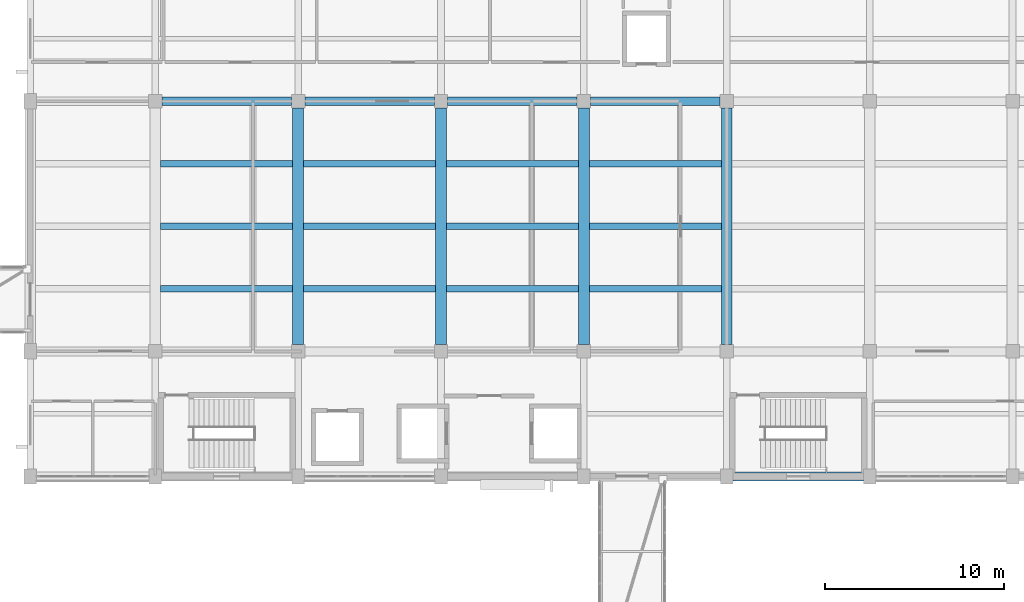
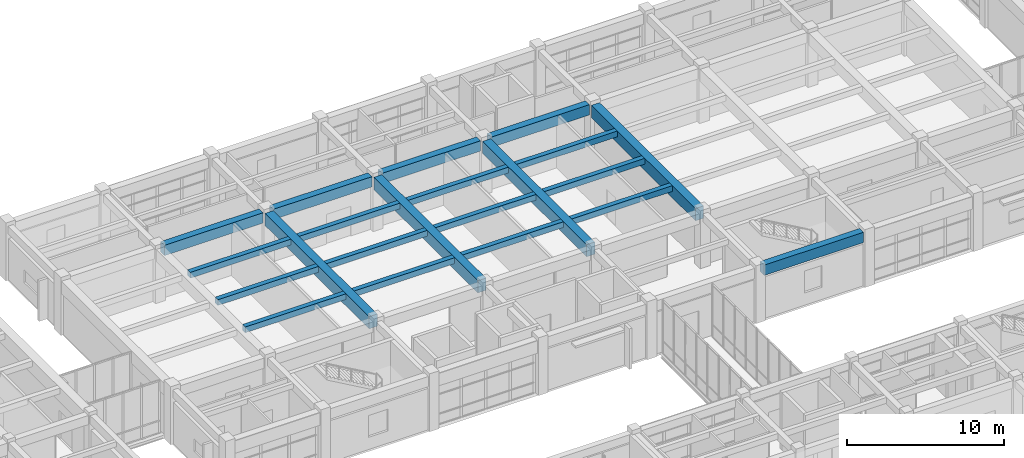
# One storey, part 26 of 72: 21 beams.
"""IFC4 building model written with IfcOpenShell, lengths in metres."""

from ifc_helpers import new_model, si_unit, direction, frame, origin, origin_2d, place, context, subcontext, project, spatial, rectangle, extrude, material, material_profile, profile_set, type_object, element, save


model = new_model("IFC4")

# Units and contexts
model_context = context("Model", 3, precision=1e-05, world=origin(), true_north=direction((0.0, 1.0)))
body_context = subcontext(model_context, "Body", "Model", "MODEL_VIEW")
ifc_project = project(units=[si_unit("LENGTHUNIT", "METRE"), si_unit("AREAUNIT", "SQUARE_METRE"), si_unit("VOLUMEUNIT", "CUBIC_METRE"), si_unit("PLANEANGLEUNIT", "RADIAN"), si_unit("MASSUNIT", "GRAM", prefix="KILO")], contexts=[model_context])

# Site, building, storey
site_placement = place(None, origin())
site = spatial("IfcSite", under=ifc_project, at=site_placement, CompositionType="ELEMENT")
building_placement = place(site_placement, origin())
building = spatial("IfcBuilding", under=site, at=building_placement, Name="Naurynzar Civic Courthouse", CompositionType="ELEMENT")
storey_placement = place(building_placement, frame((0.0, 0.0, 9.89990234375)))
storey = spatial("IfcBuildingStorey", under=building, at=storey_placement, Name="L03", CompositionType="ELEMENT", Elevation=9.89990234375)

# Beams
ifc_material_1 = material(Name="Concrete C40/50", Category="concrete")
ifc_material_profile_1 = material_profile(ifc_material_1, rectangle(XDim=0.60009765625, YDim=0.949951171875, at=origin_2d()), Name="PTB 600x950")
ifc_profile_set_1 = profile_set([ifc_material_profile_1], Name="Concrete C40/50")
beam_type_1 = type_object("IfcBeamType", Name="BM-PT-600x950", PredefinedType="T_BEAM", material=ifc_profile_set_1)
for number, where, z_axis, x_axis, name in (
    (1, (77.0, 51.375, 3.72509765625), (0.0, 1.0, 0.0), (-1.0, 0.0, 0.0), "V2 girder Y-600 L03"),
    (2, (85.0, 51.375, 3.72509765625), (0.0, 1.0, 0.0), (-1.0, 0.0, 0.0), "V2 girder Y-603 L03"),
    (3, (93.0, 51.375, 3.72509765625), (0.0, 1.0, 0.0), (-1.0, 0.0, 0.0), "V2 girder Y-606 L03"),
    (4, (101.0, 51.375, 3.72509765625), (0.0, 1.0, 0.0), (-1.0, 0.0, 0.0), "V2 girder Y-609 L03"),
):
    element("IfcBeam", number, at=place(storey_placement, frame(where, z_axis=z_axis, x_axis=x_axis)), inside=storey, type_object=beam_type_1, Name=name, PredefinedType="T_BEAM", context=body_context, shape_type="SweptSolid", body=[
        extrude(rectangle(XDim=0.60009765625, YDim=0.949951171875, at=origin_2d()), origin(), (0.0, 0.0, 1.0), 13.25),
    ])
ifc_material_2 = material(Name="Concrete C40/50", Category="concrete")
ifc_material_profile_2 = material_profile(ifc_material_2, rectangle(XDim=0.35009765625, YDim=0.449951171875, at=origin_2d()), Name="RCB 350x450")
ifc_profile_set_2 = profile_set([ifc_material_profile_2], Name="Concrete C40/50")
beam_type_2 = type_object("IfcBeamType", Name="BM-RC-350x450", PredefinedType="BEAM", material=ifc_profile_set_2)
for number, where, z_axis, x_axis, name in (
    (5, (69.300048828125, 54.5, 3.97509765625), (1.0, 0.0, 0.0), (0.0, 1.0, 0.0), "V2 secondary rib 627 L03"),
    (6, (69.300048828125, 58.0, 3.97509765625), (1.0, 0.0, 0.0), (0.0, 1.0, 0.0), "V2 secondary rib 628 L03"),
    (7, (69.300048828125, 61.5, 3.97509765625), (1.0, 0.0, 0.0), (0.0, 1.0, 0.0), "V2 secondary rib 629 L03"),
    (8, (77.300048828125, 54.5, 3.97509765625), (1.0, 0.0, 0.0), (0.0, 1.0, 0.0), "V2 secondary rib 630 L03"),
    (9, (77.300048828125, 58.0, 3.97509765625), (1.0, 0.0, 0.0), (0.0, 1.0, 0.0), "V2 secondary rib 631 L03"),
    (10, (77.300048828125, 61.5, 3.97509765625), (1.0, 0.0, 0.0), (0.0, 1.0, 0.0), "V2 secondary rib 632 L03"),
    (11, (85.300048828125, 54.5, 3.97509765625), (1.0, 0.0, 0.0), (0.0, 1.0, 0.0), "V2 secondary rib 633 L03"),
    (12, (85.300048828125, 58.0, 3.97509765625), (1.0, 0.0, 0.0), (0.0, 1.0, 0.0), "V2 secondary rib 634 L03"),
    (13, (85.300048828125, 61.5, 3.97509765625), (1.0, 0.0, 0.0), (0.0, 1.0, 0.0), "V2 secondary rib 635 L03"),
    (14, (93.300048828125, 54.5, 3.97509765625), (1.0, 0.0, 0.0), (0.0, 1.0, 0.0), "V2 secondary rib 636 L03"),
    (15, (93.300048828125, 58.0, 3.97509765625), (1.0, 0.0, 0.0), (0.0, 1.0, 0.0), "V2 secondary rib 637 L03"),
    (16, (93.300048828125, 61.5, 3.97509765625), (1.0, 0.0, 0.0), (0.0, 1.0, 0.0), "V2 secondary rib 638 L03"),
):
    element("IfcBeam", number, at=place(storey_placement, frame(where, z_axis=z_axis, x_axis=x_axis)), inside=storey, type_object=beam_type_2, Name=name, PredefinedType="BEAM", context=body_context, shape_type="SweptSolid", body=[
        extrude(rectangle(XDim=0.35009765625, YDim=0.449951171875, at=origin_2d()), origin(), (0.0, 0.0, 1.0), 7.39990234375),
    ])
ifc_material_3 = material(Name="Concrete C40/50", Category="concrete")
ifc_material_profile_3 = material_profile(ifc_material_3, rectangle(XDim=0.5, YDim=0.800048828125, at=origin_2d()), Name="RCB 500x800")
ifc_profile_set_3 = profile_set([ifc_material_profile_3], Name="Concrete C40/50")
beam_type_3 = type_object("IfcBeamType", Name="BM-RC-500x800", PredefinedType="BEAM", material=ifc_profile_set_3)
beam_placement = place(storey_placement, frame((101.35009765625, 44.0, 3.800048828125), z_axis=(1.0, 0.0, 0.0), x_axis=(0.0, 1.0, 0.0)))
element("IfcBeam", 17, at=beam_placement, inside=storey, type_object=beam_type_3, Name="V2 beam X-566 L03", PredefinedType="BEAM", context=body_context, shape_type="SweptSolid", body=[
    extrude(rectangle(XDim=0.5, YDim=0.800048828125, at=origin_2d()), origin(), (0.0, 0.0, 1.0), 7.2998046875),
])
for number, where, z_axis, x_axis, name in (
    (18, (69.375, 65.0, 3.800048828125), (1.0, 0.0, 0.0), (0.0, 1.0, 0.0), "V2 beam X-578 L03"),
    (19, (77.375, 65.0, 3.800048828125), (1.0, 0.0, 0.0), (0.0, 1.0, 0.0), "V2 beam X-579 L03"),
    (20, (85.375, 65.0, 3.800048828125), (1.0, 0.0, 0.0), (0.0, 1.0, 0.0), "V2 beam X-580 L03"),
    (21, (93.375, 65.0, 3.800048828125), (1.0, 0.0, 0.0), (0.0, 1.0, 0.0), "V2 beam X-581 L03"),
):
    element("IfcBeam", number, at=place(storey_placement, frame(where, z_axis=z_axis, x_axis=x_axis)), inside=storey, type_object=beam_type_3, Name=name, PredefinedType="BEAM", context=body_context, shape_type="SweptSolid", body=[
        extrude(rectangle(XDim=0.5, YDim=0.800048828125, at=origin_2d()), origin(), (0.0, 0.0, 1.0), 7.25),
    ])

save(model, "model.ifc")
